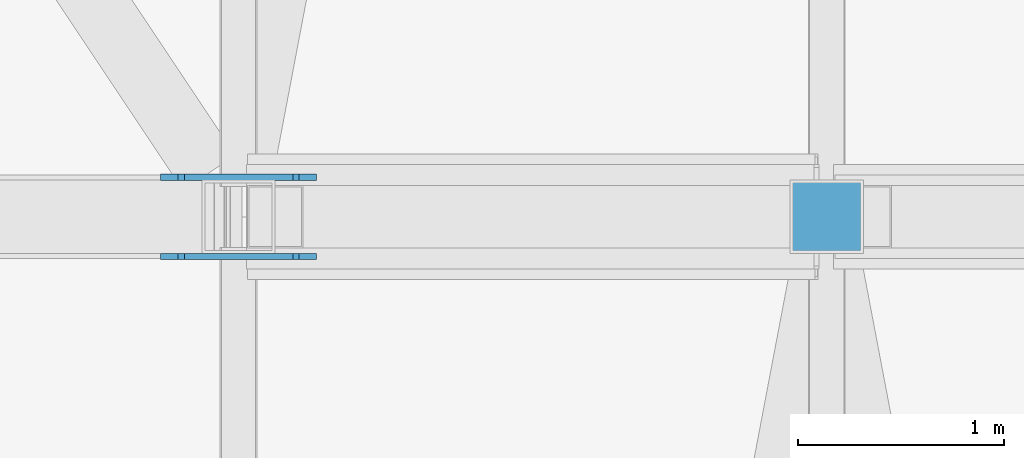
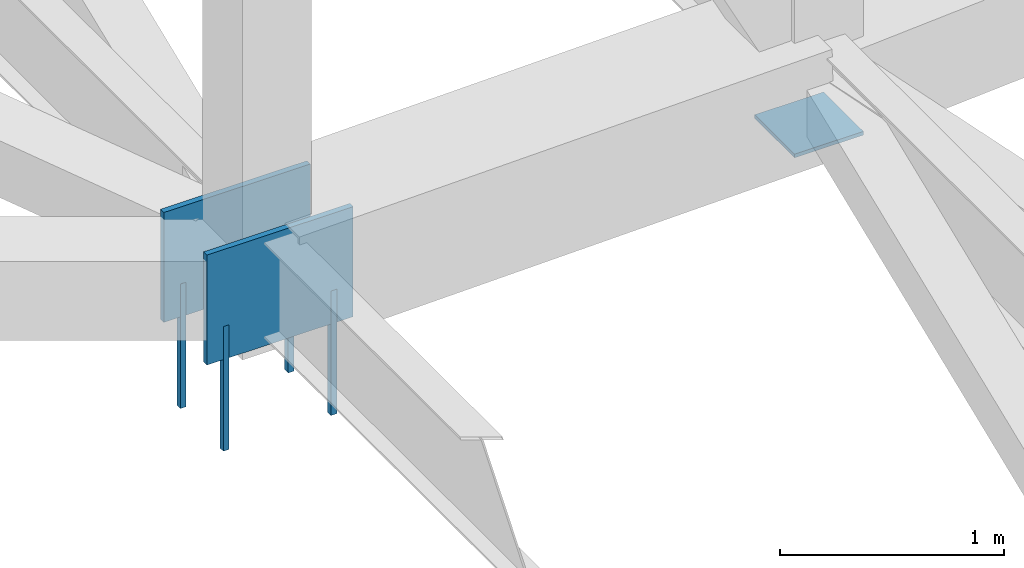
# One storey, part 151 of 278: 4 mechanical fasteners, 3 discrete accessories.
"""IFC4 building model written with IfcOpenShell, lengths in metres."""

import ifcopenshell
import ifcopenshell.guid

model = None  # the IFC model being written
_history = None  # IfcOwnerHistory: only IFC2X3 demands one
_inside = {}  # id of a spatial element -> (the spatial element, [elements in it])
_under = {}  # id of a project, library or spatial element -> (it, [spatial elements below it])
_declared = {}  # id of a project -> (the project, [libraries it declares])
_typed = {}  # id of a type object -> (the type object, [elements of that type])
_made_of = {}  # id of a material, layer set ... -> (it, [elements and type objects made of it])


def new_model(schema):
    """Start an empty IFC model of exactly this schema.

    Asked for "IFC4X3", IfcOpenShell would pick the latest addendum, in which some entities
    have other attributes; the version numbers below select the first issue.
    IFC2X3 requires an IfcOwnerHistory on every rooted entity: one is made here for all.
    """
    global model, _history
    if schema == "IFC4X3":
        model = ifcopenshell.file(schema_version=(4, 3, 0, 0))
    else:
        model = ifcopenshell.file(schema=schema)
    _inside.clear()
    _under.clear()
    _declared.clear()
    _typed.clear()
    _made_of.clear()
    _history = None
    if model.schema == "IFC2X3":
        org = make("IfcOrganization", Name="unknown")
        user = make(
            "IfcPersonAndOrganization",
            ThePerson=make("IfcPerson", FamilyName="unknown"),
            TheOrganization=org,
        )
        app = make(
            "IfcApplication",
            ApplicationDeveloper=org,
            Version="unknown",
            ApplicationFullName="unknown",
            ApplicationIdentifier="unknown",
        )
        _history = make(
            "IfcOwnerHistory",
            OwningUser=user,
            OwningApplication=app,
            ChangeAction="ADDED",
            CreationDate=0,
        )
    return model


def make(cls, **values):
    """One entity of the class cls with the attributes given. An attribute that is None is left unset."""
    return model.create_entity(
        cls, **{name: value for name, value in values.items() if value is not None}
    )


def rooted(cls, **values):
    """An entity with a GlobalId (a new one), such as an element, a storey or a relation."""
    return make(cls, GlobalId=ifcopenshell.guid.new(), OwnerHistory=_history, **values)


def si_unit(unit_type, name, prefix=None):
    """IfcSIUnit, for example si_unit("LENGTHUNIT", "METRE", prefix="MILLI")."""
    return make("IfcSIUnit", UnitType=unit_type, Prefix=prefix, Name=name)


def assignment(units):
    """IfcUnitAssignment: the units of a project."""
    return None if units is None else make("IfcUnitAssignment", Units=units)


def point(xyz):
    """IfcCartesianPoint."""
    return None if xyz is None else make("IfcCartesianPoint", Coordinates=xyz)


def direction(xyz):
    """IfcDirection."""
    return None if xyz is None else make("IfcDirection", DirectionRatios=xyz)


def frame(location, z_axis=None, x_axis=None):
    """IfcAxis2Placement3D, a coordinate frame: its origin and axes. An axis left out is left unset."""
    return make(
        "IfcAxis2Placement3D",
        Location=point(location),
        Axis=direction(z_axis),
        RefDirection=direction(x_axis),
    )


def frame_2d(location, x_axis=None):
    """IfcAxis2Placement2D, a coordinate frame in the plane: its origin and x axis."""
    return make(
        "IfcAxis2Placement2D", Location=point(location), RefDirection=direction(x_axis)
    )


def origin():
    """The frame at (0, 0, 0) with its axes left unset."""
    return frame((0.0, 0.0, 0.0))


def origin_2d():
    """The frame at (0, 0) in the plane with its x axis left unset."""
    return frame_2d((0.0, 0.0))


def place(relative_to, where):
    """IfcLocalPlacement: puts the frame where relative to a parent placement (None: the world)."""
    return make(
        "IfcLocalPlacement", PlacementRelTo=relative_to, RelativePlacement=where
    )


def context(
    kind, dimensions, precision=None, world=None, true_north=None, identifier=None
):
    """IfcGeometricRepresentationContext, for example the 3D "Model" context."""
    return make(
        "IfcGeometricRepresentationContext",
        ContextIdentifier=identifier,
        ContextType=kind,
        CoordinateSpaceDimension=dimensions,
        Precision=precision,
        WorldCoordinateSystem=world,
        TrueNorth=true_north,
    )


def subcontext(parent, identifier, kind, view, scale=None):
    """IfcGeometricRepresentationSubContext, for example "Body" below "Model"."""
    return make(
        "IfcGeometricRepresentationSubContext",
        ContextIdentifier=identifier,
        ContextType=kind,
        ParentContext=parent,
        TargetScale=scale,
        TargetView=view,
    )


def project(units=None, contexts=None):
    """IfcProject with its units and contexts."""
    return rooted(
        "IfcProject",
        Name="project",
        RepresentationContexts=contexts,
        UnitsInContext=assignment(units),
    )


def spatial(cls, under=None, at=None, **own):
    """A site, building, storey or space (cls), placed at a placement, below another one or the project."""
    s = rooted(cls, ObjectPlacement=at, **own)
    if under is not None:
        _under.setdefault(under.id(), (under, []))[1].append(s)
    return s


def profile(cls, at=None, kind="AREA", **sizes):
    """A parametric profile (cls). Its sizes go by their IFC names, for example OverallWidth=200.0."""
    return make(cls, ProfileType=kind, Position=at, **sizes)


def rectangle(**sizes):
    """IfcRectangleProfileDef."""
    return profile("IfcRectangleProfileDef", **sizes)


def extrude(swept, where, along, depth):
    """IfcExtrudedAreaSolid: the profile swept, set in the frame where, extruded along a direction by depth."""
    return make(
        "IfcExtrudedAreaSolid",
        SweptArea=swept,
        Position=where,
        ExtrudedDirection=direction(along),
        Depth=depth,
    )


def shape(context_of_items, identifier, shape_type, items):
    """IfcShapeRepresentation: the items that make up one representation, for example the "Body"."""
    return make(
        "IfcShapeRepresentation",
        ContextOfItems=context_of_items,
        RepresentationIdentifier=identifier,
        RepresentationType=shape_type,
        Items=items,
    )


def material(Name=None, Category=None):
    """IfcMaterial."""
    return make("IfcMaterial", Name=Name, Category=Category)


def layer(
    of_material, thickness, ventilated=None, Name=None, Category=None, Priority=None
):
    """IfcMaterialLayer: one layer of a wall or slab, of a material (None: an air gap)."""
    return make(
        "IfcMaterialLayer",
        Material=of_material,
        LayerThickness=thickness,
        IsVentilated=ventilated,
        Name=Name,
        Category=Category,
        Priority=Priority,
    )


def layer_set(layers, Name=None):
    """IfcMaterialLayerSet."""
    return make("IfcMaterialLayerSet", MaterialLayers=layers, LayerSetName=Name)


def made_of(thing, what):
    """Note that an element or type object is made of a material, layer set ...; save() writes the relation."""
    if what is not None:
        _made_of.setdefault(what.id(), (what, []))[1].append(thing)
    return thing


def type_object(cls, material=None, **own):
    """A type object (cls), such as IfcWallType, which elements share."""
    return made_of(rooted(cls, **own), material)


def element(
    cls,
    number,
    at=None,
    inside=None,
    cuts=None,
    type_object=None,
    material=None,
    context=None,
    identifier="Body",
    shape_type=None,
    held_by="IfcProductDefinitionShape",
    body=None,
    shapes=None,
    **own,
):
    """One element of the class cls, such as IfcWall. Its Tag is "e" and its number.

    at: its placement. inside: the storey or other place that contains it. cuts: it is an
    opening in that element (IfcRelVoidsElement). A single representation is given by context,
    identifier, shape_type and body (its items); several are given by shapes. held_by: the class
    of the entity that holds the representations. save() writes the other relations.
    """
    e = rooted(cls, Tag="e%d" % number, ObjectPlacement=at, **own)
    if body is not None:
        shapes = [shape(context, identifier, shape_type, body)]
    if shapes is not None:
        e.Representation = make(held_by, Representations=shapes)
    if inside is not None:
        _inside.setdefault(inside.id(), (inside, []))[1].append(e)
    if cuts is not None:
        rooted(
            "IfcRelVoidsElement", RelatingBuildingElement=cuts, RelatedOpeningElement=e
        )
    if type_object is not None:
        _typed.setdefault(type_object.id(), (type_object, []))[1].append(e)
    return made_of(e, material)


def aggregate(whole, parts):
    """IfcRelAggregates: a whole, such as a stair, and the parts it consists of."""
    return rooted("IfcRelAggregates", RelatingObject=whole, RelatedObjects=parts)


def save(model, path):
    """Write the relations noted so far, then the file.

    IfcRelAggregates (storeys below a building ...), IfcRelContainedInSpatialStructure (elements
    in a storey), IfcRelDefinesByType, IfcRelAssociatesMaterial and IfcRelDeclares: one each for
    every whole, place, type object, material and project.
    """
    for whole, parts in _under.values():
        aggregate(whole, parts)
    for where, things in _inside.values():
        rooted(
            "IfcRelContainedInSpatialStructure",
            RelatedElements=things,
            RelatingStructure=where,
        )
    for kind, things in _typed.values():
        rooted("IfcRelDefinesByType", RelatedObjects=things, RelatingType=kind)
    for what, things in _made_of.values():
        rooted("IfcRelAssociatesMaterial", RelatedObjects=things, RelatingMaterial=what)
    for by, libraries in _declared.values():
        rooted("IfcRelDeclares", RelatingContext=by, RelatedDefinitions=libraries)
    model.write(path)


model = new_model("IFC4")

# Units and contexts
model_context = context("Model", 3, precision=1e-05, world=origin(), true_north=direction((0.0, 1.0)))
body_context = subcontext(model_context, "Body", "Model", "MODEL_VIEW")
ifc_project = project(units=[si_unit("LENGTHUNIT", "METRE"), si_unit("AREAUNIT", "SQUARE_METRE"), si_unit("VOLUMEUNIT", "CUBIC_METRE"), si_unit("PLANEANGLEUNIT", "RADIAN"), si_unit("MASSUNIT", "GRAM", prefix="KILO")], contexts=[model_context])

# Site, building, storey
site_placement = place(None, origin())
site = spatial("IfcSite", under=ifc_project, at=site_placement, CompositionType="ELEMENT")
building_placement = place(site_placement, origin())
building = spatial("IfcBuilding", under=site, at=building_placement, Name="Ogive Plaza Stadium", CompositionType="ELEMENT")
storey_placement = place(building_placement, frame((0.0, 0.0, 29.0)))
storey = spatial("IfcBuildingStorey", under=building, at=storey_placement, Name="Roof", CompositionType="ELEMENT", Elevation=29.0)

# Mechanical fasteners
ifc_material_1 = material(Name="Steel ASTM A992 Grade 50", Category="steel")
mechanical_fastener_type = type_object("IfcMechanicalFastenerType", Name="Anchor bolt M30 x 600", PredefinedType="ANCHORBOLT", material=ifc_material_1)
for number, where, z_axis, x_axis, name in (
    (1, (-74.27783203125, -37.69189453125, -0.5), (0.0, 0.0, 1.0), (-1.0, 0.0, 0.0), "ANCHOR BOLT 22 BP 1.1"),
    (2, (-73.72216796875, -37.69189453125, -0.5), (0.0, 0.0, 1.0), (-1.0, 0.0, 0.0), "ANCHOR BOLT 22 BP 1.2"),
    (3, (-74.27783203125, -37.30810546875, -0.5), (0.0, 0.0, 1.0), (-1.0, 0.0, 0.0), "ANCHOR BOLT 22 BP 2.1"),
    (4, (-73.72216796875, -37.30810546875, -0.5), (0.0, 0.0, 1.0), (-1.0, 0.0, 0.0), "ANCHOR BOLT 22 BP 2.2"),
):
    element("IfcMechanicalFastener", number, at=place(storey_placement, frame(where, z_axis=z_axis, x_axis=x_axis)), inside=storey, type_object=mechanical_fastener_type, Name=name, PredefinedType="ANCHORBOLT", context=body_context, shape_type="SweptSolid", body=[
        extrude(rectangle(XDim=0.030029296875, YDim=0.030029296875, at=origin_2d()), origin(), (0.0, 0.0, 1.0), 0.679931640625),
    ])

# Discrete accessories
ifc_material_2 = material(Name="Steel ASTM A992 Grade 50", Category="steel")
ifc_layer_1 = layer(ifc_material_2, 0.02001953125)
ifc_layer_set_1 = layer_set([ifc_layer_1], Name="Steel ASTM A992 Grade 50")
discrete_accessory_type_1 = type_object("IfcDiscreteAccessoryType", Name="Roof truss post cap plate 20", PredefinedType="ANCHORPLATE", material=ifc_layer_set_1)
discrete_accessory_placement = place(storey_placement, frame((-71.14990234375, -37.5, 0.04541015625), z_axis=(0.0, 0.0, 1.0), x_axis=(-1.0, 0.0, 0.0)))
element("IfcDiscreteAccessory", 5, at=discrete_accessory_placement, inside=storey, type_object=discrete_accessory_type_1, Name="ROOF TRUSS POST CAP PLATE 22 10", PredefinedType="ANCHORPLATE", context=body_context, shape_type="SweptSolid", body=[
    extrude(rectangle(XDim=0.355712890625, YDim=0.355712890625, at=origin_2d()), origin(), (0.0, 0.0, 1.0), 0.02001953125),
])
ifc_material_3 = material(Name="Steel ASTM A992 Grade 50", Category="steel")
ifc_layer_2 = layer(ifc_material_3, 0.030029296875)
ifc_layer_set_2 = layer_set([ifc_layer_2], Name="Steel ASTM A992 Grade 50")
discrete_accessory_type_2 = type_object("IfcDiscreteAccessoryType", Name="Truss root foot cleat plate 30", PredefinedType="ANCHORPLATE", material=ifc_layer_set_2)
for number, where, z_axis, x_axis, name in (
    (6, (-74.0, -37.69189453125, 0.0), (0.0, 0.0, 1.0), (-1.0, 0.0, 0.0), "TRUSS ROOT FOOT CLEAT PLATE 22 1"),
    (7, (-74.0, -37.30810546875, 0.0), (0.0, 0.0, 1.0), (-1.0, 0.0, 0.0), "TRUSS ROOT FOOT CLEAT PLATE 22 2"),
):
    element("IfcDiscreteAccessory", number, at=place(storey_placement, frame(where, z_axis=z_axis, x_axis=x_axis)), inside=storey, type_object=discrete_accessory_type_2, Name=name, PredefinedType="ANCHORPLATE", context=body_context, shape_type="SweptSolid", body=[
        extrude(rectangle(XDim=0.755615234375, YDim=0.030029296875, at=origin_2d()), origin(), (0.0, 0.0, 1.0), 0.60009765625),
    ])

save(model, "model.ifc")
